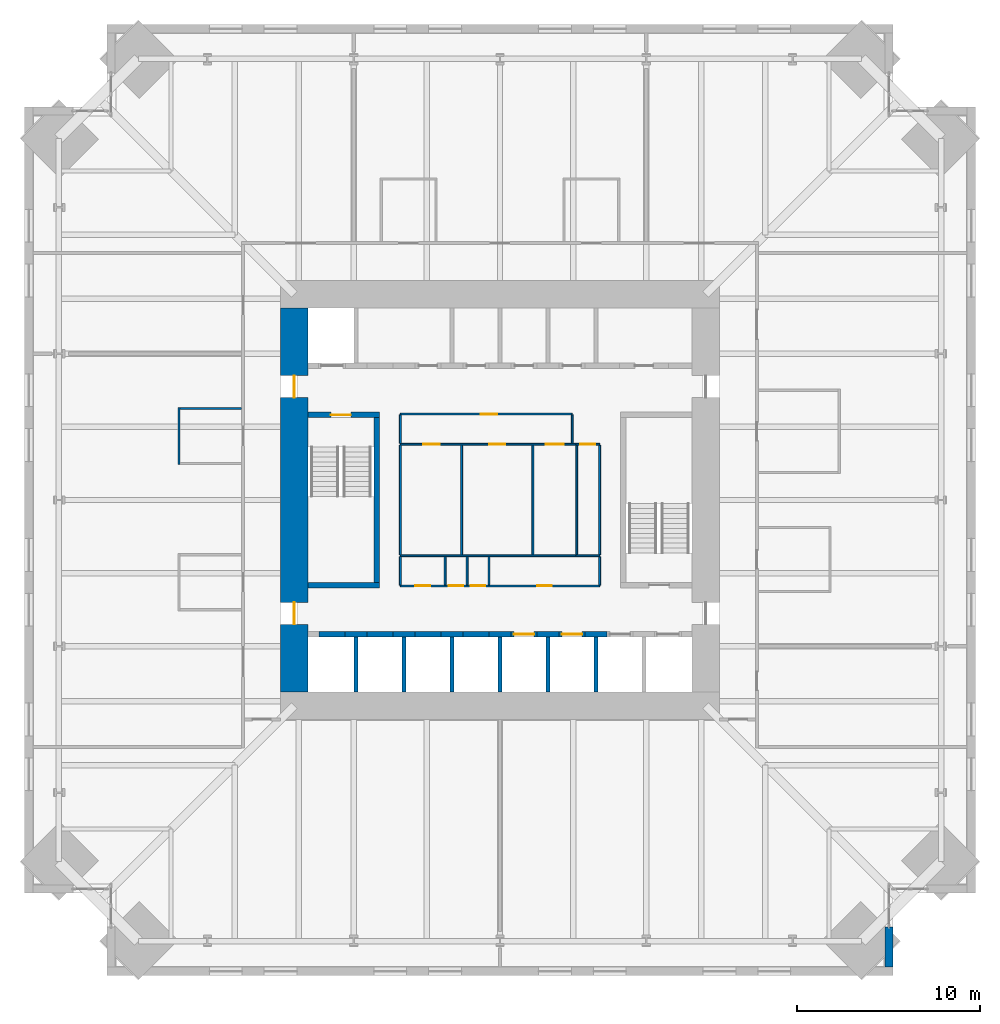
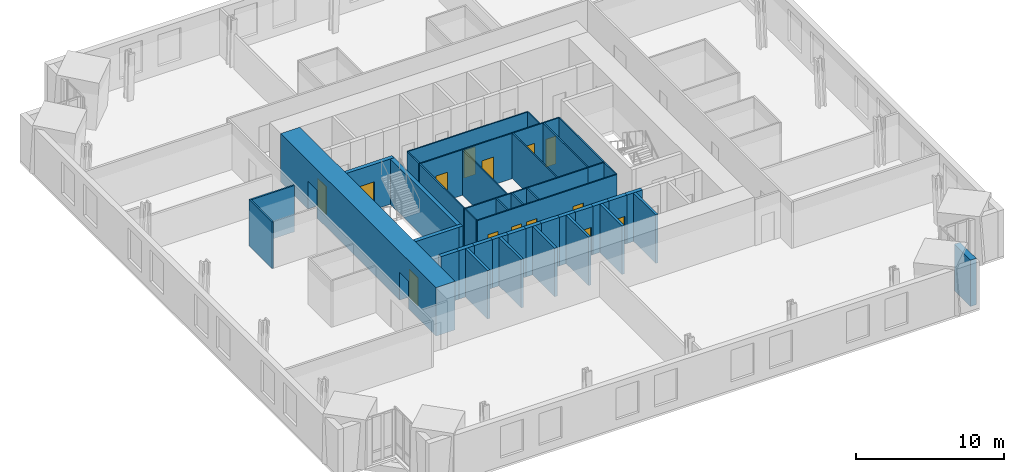
# One storey, part 14 of 18: 43 walls, 14 doors, 14 openings.
"""IFC4 building model written with IfcOpenShell, lengths in metres."""

from ifc_helpers import new_model, si_unit, direction, frame, frame_2d, origin, place, context, subcontext, project, spatial, rectangle, extrude, material, layer, layer_set, type_object, element, fill, save


model = new_model("IFC4")

# Units and contexts
model_context = context("Model", 3, precision=1e-05, world=origin(), true_north=direction((0.0, 1.0)))
body_context = subcontext(model_context, "Body", "Model", "MODEL_VIEW")
ifc_project = project(units=[si_unit("LENGTHUNIT", "METRE"), si_unit("AREAUNIT", "SQUARE_METRE"), si_unit("VOLUMEUNIT", "CUBIC_METRE"), si_unit("PLANEANGLEUNIT", "RADIAN"), si_unit("MASSUNIT", "GRAM", prefix="KILO")], contexts=[model_context])

# Site, building, storey
site_placement = place(None, origin())
site = spatial("IfcSite", under=ifc_project, at=site_placement, CompositionType="ELEMENT")
building_placement = place(site_placement, origin())
building = spatial("IfcBuilding", under=site, at=building_placement, Name="Peilmerk Tower", CompositionType="ELEMENT")
storey_placement = place(building_placement, frame((0.0, 0.0, 167.800048828125)))
storey = spatial("IfcBuildingStorey", under=building, at=storey_placement, Name="L35", CompositionType="ELEMENT", Elevation=167.800048828125)

# Walls
ifc_material_1 = material(Name="Precast concrete C45/55, board-marked finish", Category="concrete")
ifc_layer_1 = layer(ifc_material_1, 0.449951171875)
ifc_layer_set_1 = layer_set([ifc_layer_1], Name="Precast concrete C45/55, board-marked finish")
wall_type_1 = type_object("IfcWallType", Name="EW1 450 precast concrete facade wall, board-marked", PredefinedType="SOLIDWALL", material=ifc_layer_set_1)
wall_1_placement = place(storey_placement, frame((21.27490234375, -23.353759765625, 0.0), z_axis=(0.0, 0.0, 1.0), x_axis=(0.0, -1.0, 0.0)))
element("IfcWall", 1, at=wall_1_placement, inside=storey, type_object=wall_type_1, Name="Facade wall SEA L35", PredefinedType="SOLIDWALL", context=body_context, shape_type="SweptSolid", body=[
    extrude(rectangle(XDim=2.1962890625, YDim=0.449951171875, at=frame_2d((1.09814453125, 0.0))), origin(), (0.0, 0.0, 1.0), 3.829833984375),
])
ifc_material_2 = material(Name="Concrete C35/45", Category="concrete")
ifc_layer_2 = layer(ifc_material_2, 0.300048828125)
ifc_layer_set_2 = layer_set([ifc_layer_2], Name="Concrete C35/45")
wall_type_2 = type_object("IfcWallType", Name="IW3 300 concrete stair enclosure wall, EI 120", PredefinedType="SOLIDWALL", material=ifc_layer_set_2)
wall_2_placement = place(storey_placement, frame((-6.75, -4.800048828125, 0.0), z_axis=(0.0, 0.0, 1.0), x_axis=(0.0, 1.0, 0.0)))
element("IfcWall", 2, at=wall_2_placement, inside=storey, type_object=wall_type_2, Name="Stair 1 enclosure L35", PredefinedType="SOLIDWALL", context=body_context, shape_type="SweptSolid", body=[
    extrude(rectangle(XDim=9.60009765625, YDim=0.300048828125, at=frame_2d((4.800048828125, 0.0))), origin(), (0.0, 0.0, 1.0), 3.75),
])

# Wall, opening, door
wall_3_placement = place(storey_placement, frame((-10.5, 4.64990234375, 0.0), z_axis=(0.0, 0.0, 1.0), x_axis=(1.0, 0.0, 0.0)))
wall_3 = element("IfcWall", 3, at=wall_3_placement, inside=storey, type_object=wall_type_2, Name="Stair 1 enclosure L35", PredefinedType="SOLIDWALL", context=body_context, shape_type="SweptSolid", body=[
    extrude(rectangle(XDim=3.89990234375, YDim=0.300048828125, at=frame_2d((1.949951171875, 0.0))), origin(), (0.0, 0.0, 1.0), 3.75),
])
opening_1_placement = place(wall_3_placement, frame((1.25, 0.0, 0.0)))
opening_1 = element("IfcOpeningElement", 4, at=opening_1_placement, cuts=wall_3, Name="Opening D4", PredefinedType="OPENING", context=body_context, shape_type="SweptSolid", body=[
    extrude(rectangle(XDim=1.10009765625, YDim=2.300048828125, at=frame_2d((0.550048828125, 1.14990234375))), frame((0.0, 0.159912109375, 0.0), z_axis=(0.0, -1.0, 0.0), x_axis=(1.0, 0.0, 0.0)), (0.0, 0.0, 1.0), 0.320068359375),
])
ifc_material_3 = material(Name="Steel door in steel frame", Category="steel")
door_type_1 = type_object("IfcDoorType", Name="D4 1100x2300 stair door, EI2 60", OperationType="SINGLE_SWING_RIGHT", PredefinedType="DOOR", material=ifc_material_3)
door_1_placement = place(opening_1_placement, frame((1.10009765625, 0.0, 0.0), z_axis=(0.0, 0.0, 1.0), x_axis=(-1.0, 0.0, 0.0)))
door_1 = element("IfcDoor", 5, at=door_1_placement, inside=storey, type_object=door_type_1, Name="Stair 1 door L35", OperationType="SINGLE_SWING_RIGHT", OverallHeight=2.300048828125, OverallWidth=1.10009765625, PredefinedType="DOOR", context=body_context, shape_type="SweptSolid", body=[
    extrude(rectangle(XDim=1.10009765625, YDim=2.300048828125, at=frame_2d((0.550048828125, 1.14990234375))), frame((0.0, 0.02490234375, 0.0), z_axis=(0.0, -1.0, 0.0), x_axis=(1.0, 0.0, 0.0)), (0.0, 0.0, 1.0), 0.050048828125),
])
fill(opening_1, door_1)

# Wall
wall_4_placement = place(storey_placement, frame((-6.60009765625, -4.64990234375, 0.0), z_axis=(0.0, 0.0, 1.0), x_axis=(-1.0, 0.0, 0.0)))
element("IfcWall", 6, at=wall_4_placement, inside=storey, type_object=wall_type_2, Name="Stair 1 enclosure L35", PredefinedType="SOLIDWALL", context=body_context, shape_type="SweptSolid", body=[
    extrude(rectangle(XDim=3.89990234375, YDim=0.300048828125, at=frame_2d((1.949951171875, 0.0))), origin(), (0.0, 0.0, 1.0), 3.75),
])

# Wall, openings, doors
ifc_material_4 = material(Name="Plasterboard on steel studs", Category="steel")
ifc_layer_3 = layer(ifc_material_4, 0.10009765625)
ifc_layer_set_3 = layer_set([ifc_layer_3], Name="Plasterboard on steel studs")
wall_type_3 = type_object("IfcWallType", Name="IW4 100 WC partition", PredefinedType="PARTITIONING", material=ifc_layer_set_3)
wall_5_placement = place(storey_placement, frame((-5.449951171875, 3.050048828125, 0.0), z_axis=(0.0, 0.0, 1.0), x_axis=(1.0, 0.0, 0.0)))
wall_5 = element("IfcWall", 7, at=wall_5_placement, inside=storey, type_object=wall_type_3, Name="WC wall L35", PredefinedType="PARTITIONING", context=body_context, shape_type="SweptSolid", body=[
    extrude(rectangle(XDim=9.599853515625, YDim=0.10009765625, at=frame_2d((4.7998046875, 0.0))), origin(), (0.0, 0.0, 1.0), 3.75),
])
opening_2_placement = place(wall_5_placement, frame((1.25, 0.0, 0.0)))
opening_2 = element("IfcOpeningElement", 8, at=opening_2_placement, cuts=wall_5, Name="Opening D5", PredefinedType="OPENING", context=body_context, shape_type="SweptSolid", body=[
    extrude(rectangle(XDim=0.89990234375, YDim=2.300048828125, at=frame_2d((0.449951171875, 1.14990234375))), frame((0.0, 0.06005859375, 0.0), z_axis=(0.0, -1.0, 0.0), x_axis=(1.0, 0.0, 0.0)), (0.0, 0.0, 1.0), 0.1201171875),
])
opening_3_placement = place(wall_5_placement, frame((4.85009765625, 0.0, 0.0)))
opening_3 = element("IfcOpeningElement", 9, at=opening_3_placement, cuts=wall_5, Name="Opening D5", PredefinedType="OPENING", context=body_context, shape_type="SweptSolid", body=[
    extrude(rectangle(XDim=0.89990234375, YDim=2.300048828125, at=frame_2d((0.449951171875, 1.14990234375))), frame((0.0, 0.06005859375, 0.0), z_axis=(0.0, -1.0, 0.0), x_axis=(1.0, 0.0, 0.0)), (0.0, 0.0, 1.0), 0.1201171875),
])
opening_4_placement = place(wall_5_placement, frame((7.949951171875, 0.0, 0.0)))
opening_4 = element("IfcOpeningElement", 10, at=opening_4_placement, cuts=wall_5, Name="Opening D6", PredefinedType="OPENING", context=body_context, shape_type="SweptSolid", body=[
    extrude(rectangle(XDim=1.0, YDim=2.300048828125, at=frame_2d((0.5, 1.14990234375))), frame((0.0, 0.06005859375, 0.0), z_axis=(0.0, -1.0, 0.0), x_axis=(1.0, 0.0, 0.0)), (0.0, 0.0, 1.0), 0.1201171875),
])
ifc_material_5 = material(Name="Timber door in steel frame", Category="steel")
door_type_2 = type_object("IfcDoorType", Name="D5 900x2300 WC door", OperationType="SINGLE_SWING_LEFT", PredefinedType="DOOR", material=ifc_material_5)
door_2_placement = place(opening_2_placement, frame((0.89990234375, 0.0, 0.0), z_axis=(0.0, 0.0, 1.0), x_axis=(-1.0, 0.0, 0.0)))
door_2 = element("IfcDoor", 11, at=door_2_placement, inside=storey, type_object=door_type_2, Name="Female toilets door L35", OperationType="SINGLE_SWING_LEFT", OverallHeight=2.300048828125, OverallWidth=0.89990234375, PredefinedType="DOOR", context=body_context, shape_type="SweptSolid", body=[
    extrude(rectangle(XDim=0.89990234375, YDim=2.300048828125, at=frame_2d((0.449951171875, 1.14990234375))), frame((0.0, 0.02490234375, 0.0), z_axis=(0.0, -1.0, 0.0), x_axis=(1.0, 0.0, 0.0)), (0.0, 0.0, 1.0), 0.050048828125),
])
fill(opening_2, door_2)
door_3_placement = place(opening_3_placement, frame((0.89990234375, 0.0, 0.0), z_axis=(0.0, 0.0, 1.0), x_axis=(-1.0, 0.0, 0.0)))
door_3 = element("IfcDoor", 12, at=door_3_placement, inside=storey, type_object=door_type_2, Name="Male toilets door L35", OperationType="SINGLE_SWING_LEFT", OverallHeight=2.300048828125, OverallWidth=0.89990234375, PredefinedType="DOOR", context=body_context, shape_type="SweptSolid", body=[
    extrude(rectangle(XDim=0.89990234375, YDim=2.300048828125, at=frame_2d((0.449951171875, 1.14990234375))), frame((0.0, 0.02490234375, 0.0), z_axis=(0.0, -1.0, 0.0), x_axis=(1.0, 0.0, 0.0)), (0.0, 0.0, 1.0), 0.050048828125),
])
fill(opening_3, door_3)
door_type_3 = type_object("IfcDoorType", Name="D6 1000x2300 accessible WC door", OperationType="SLIDING_TO_LEFT", PredefinedType="DOOR", material=ifc_material_5)
door_4_placement = place(opening_4_placement, frame((1.0, 0.0, 0.0), z_axis=(0.0, 0.0, 1.0), x_axis=(-1.0, 0.0, 0.0)))
door_4 = element("IfcDoor", 13, at=door_4_placement, inside=storey, type_object=door_type_3, Name="Accessible WC door L35", OperationType="SLIDING_TO_LEFT", OverallHeight=2.300048828125, OverallWidth=1.0, PredefinedType="DOOR", context=body_context, shape_type="SweptSolid", body=[
    extrude(rectangle(XDim=1.0, YDim=2.300048828125, at=frame_2d((0.5, 1.14990234375))), frame((0.0, 0.02490234375, 0.0), z_axis=(0.0, -1.0, 0.0), x_axis=(1.0, 0.0, 0.0)), (0.0, 0.0, 1.0), 0.050048828125),
])
fill(opening_4, door_4)

# Walls
wall_6_placement = place(storey_placement, frame((4.14990234375, -3.050048828125, 0.0), z_axis=(0.0, 0.0, 1.0), x_axis=(-1.0, 0.0, 0.0)))
element("IfcWall", 14, at=wall_6_placement, inside=storey, type_object=wall_type_3, Name="WC wall L35", PredefinedType="PARTITIONING", context=body_context, shape_type="SweptSolid", body=[
    extrude(rectangle(XDim=9.599853515625, YDim=0.10009765625, at=frame_2d((4.7998046875, 0.0))), origin(), (0.0, 0.0, 1.0), 3.75),
])
for number, where, z_axis, x_axis, name in (
    (15, (-5.449951171875, -3.0, 0.0), (0.0, 0.0, 1.0), (0.0, 1.0, 0.0), "WC wall L35"),
    (16, (-2.10009765625, -3.0, 0.0), (0.0, 0.0, 1.0), (0.0, 1.0, 0.0), "WC wall L35"),
    (17, (1.800048828125, -3.0, 0.0), (0.0, 0.0, 1.0), (0.0, 1.0, 0.0), "WC wall L35"),
):
    element("IfcWall", number, at=place(storey_placement, frame(where, z_axis=z_axis, x_axis=x_axis)), inside=storey, type_object=wall_type_3, Name=name, PredefinedType="PARTITIONING", context=body_context, shape_type="SweptSolid", body=[
        extrude(rectangle(XDim=6.0, YDim=0.10009765625, at=frame_2d((3.0, 0.0))), origin(), (0.0, 0.0, 1.0), 3.75),
    ])

# Wall, opening, door
ifc_material_6 = material(Name="Calcium silicate board on steel studs", Category="steel")
ifc_layer_4 = layer(ifc_material_6, 0.10009765625)
ifc_layer_set_4 = layer_set([ifc_layer_4], Name="Calcium silicate board on steel studs")
wall_type_4 = type_object("IfcWallType", Name="IW5 100 riser enclosure wall, EI 60", PredefinedType="PARTITIONING", material=ifc_layer_set_4)
wall_7_placement = place(storey_placement, frame((4.14990234375, 3.050048828125, 0.0), z_axis=(0.0, 0.0, 1.0), x_axis=(1.0, 0.0, 0.0)))
wall_7 = element("IfcWall", 18, at=wall_7_placement, inside=storey, type_object=wall_type_4, Name="Riser wall L35", PredefinedType="PARTITIONING", context=body_context, shape_type="SweptSolid", body=[
    extrude(rectangle(XDim=1.300048828125, YDim=0.10009765625, at=frame_2d((0.64990234375, 0.0))), origin(), (0.0, 0.0, 1.0), 3.75),
])
opening_5_placement = place(wall_7_placement, frame((0.25, 0.0, 0.0)))
opening_5 = element("IfcOpeningElement", 19, at=opening_5_placement, cuts=wall_7, Name="Opening D7", PredefinedType="OPENING", context=body_context, shape_type="SweptSolid", body=[
    extrude(rectangle(XDim=0.800048828125, YDim=2.300048828125, at=frame_2d((0.39990234375, 1.14990234375))), frame((0.0, 0.06005859375, 0.0), z_axis=(0.0, -1.0, 0.0), x_axis=(1.0, 0.0, 0.0)), (0.0, 0.0, 1.0), 0.1201171875),
])
door_type_4 = type_object("IfcDoorType", Name="D7 800x2300 riser access door, EI2 60", OperationType="SINGLE_SWING_RIGHT", PredefinedType="DOOR", material=ifc_material_3)
door_5_placement = place(opening_5_placement, frame((0.800048828125, 0.0, 0.0), z_axis=(0.0, 0.0, 1.0), x_axis=(-1.0, 0.0, 0.0)))
door_5 = element("IfcDoor", 20, at=door_5_placement, inside=storey, type_object=door_type_4, Name="Plumbing riser door L35", OperationType="SINGLE_SWING_RIGHT", OverallHeight=2.300048828125, OverallWidth=0.800048828125, PredefinedType="DOOR", context=body_context, shape_type="SweptSolid", body=[
    extrude(rectangle(XDim=0.800048828125, YDim=2.300048828125, at=frame_2d((0.39990234375, 1.14990234375))), frame((0.0, 0.02490234375, 0.0), z_axis=(0.0, -1.0, 0.0), x_axis=(1.0, 0.0, 0.0)), (0.0, 0.0, 1.0), 0.050048828125),
])
fill(opening_5, door_5)

# Walls
wall_8_placement = place(storey_placement, frame((5.449951171875, -3.050048828125, 0.0), z_axis=(0.0, 0.0, 1.0), x_axis=(-1.0, 0.0, 0.0)))
element("IfcWall", 21, at=wall_8_placement, inside=storey, type_object=wall_type_4, Name="Riser wall L35", PredefinedType="PARTITIONING", context=body_context, shape_type="SweptSolid", body=[
    extrude(rectangle(XDim=1.300048828125, YDim=0.10009765625, at=frame_2d((0.64990234375, 0.0))), origin(), (0.0, 0.0, 1.0), 3.75),
])
for number, where, z_axis, x_axis, name in (
    (22, (5.449951171875, 3.0, 0.0), (0.0, 0.0, 1.0), (0.0, -1.0, 0.0), "Riser wall L35"),
    (23, (4.199951171875, -3.0, 0.0), (0.0, 0.0, 1.0), (0.0, 1.0, 0.0), "Riser wall L35"),
):
    element("IfcWall", number, at=place(storey_placement, frame(where, z_axis=z_axis, x_axis=x_axis)), inside=storey, type_object=wall_type_4, Name=name, PredefinedType="PARTITIONING", context=body_context, shape_type="SweptSolid", body=[
        extrude(rectangle(XDim=6.0, YDim=0.10009765625, at=frame_2d((3.0, 0.0))), origin(), (0.0, 0.0, 1.0), 3.75),
    ])

# Wall, openings, doors
wall_9_placement = place(storey_placement, frame((5.449951171875, -4.699951171875, 0.0), z_axis=(0.0, 0.0, 1.0), x_axis=(-1.0, 0.0, 0.0)))
wall_9 = element("IfcWall", 24, at=wall_9_placement, inside=storey, type_object=wall_type_4, Name="Riser wall L35", PredefinedType="PARTITIONING", context=body_context, shape_type="SweptSolid", body=[
    extrude(rectangle(XDim=10.89990234375, YDim=0.10009765625, at=frame_2d((5.449951171875, 0.0))), origin(), (0.0, 0.0, 1.0), 3.75),
])
opening_6_placement = place(wall_9_placement, frame((9.27490234375, 0.0, 0.0)))
opening_6 = element("IfcOpeningElement", 25, at=opening_6_placement, cuts=wall_9, Name="Opening D7", PredefinedType="OPENING", context=body_context, shape_type="SweptSolid", body=[
    extrude(rectangle(XDim=0.800048828125, YDim=2.300048828125, at=frame_2d((0.39990234375, 1.14990234375))), frame((0.0, 0.06005859375, 0.0), z_axis=(0.0, -1.0, 0.0), x_axis=(1.0, 0.0, 0.0)), (0.0, 0.0, 1.0), 0.1201171875),
])
opening_7_placement = place(wall_9_placement, frame((7.449951171875, 0.0, 0.0)))
opening_7 = element("IfcOpeningElement", 26, at=opening_7_placement, cuts=wall_9, Name="Opening D7", PredefinedType="OPENING", context=body_context, shape_type="SweptSolid", body=[
    extrude(rectangle(XDim=0.800048828125, YDim=2.300048828125, at=frame_2d((0.39990234375, 1.14990234375))), frame((0.0, 0.06005859375, 0.0), z_axis=(0.0, -1.0, 0.0), x_axis=(1.0, 0.0, 0.0)), (0.0, 0.0, 1.0), 0.1201171875),
])
opening_8_placement = place(wall_9_placement, frame((6.25, 0.0, 0.0)))
opening_8 = element("IfcOpeningElement", 27, at=opening_8_placement, cuts=wall_9, Name="Opening D7", PredefinedType="OPENING", context=body_context, shape_type="SweptSolid", body=[
    extrude(rectangle(XDim=0.800048828125, YDim=2.300048828125, at=frame_2d((0.39990234375, 1.14990234375))), frame((0.0, 0.06005859375, 0.0), z_axis=(0.0, -1.0, 0.0), x_axis=(1.0, 0.0, 0.0)), (0.0, 0.0, 1.0), 0.1201171875),
])
opening_9_placement = place(wall_9_placement, frame((2.625, 0.0, 0.0)))
opening_9 = element("IfcOpeningElement", 28, at=opening_9_placement, cuts=wall_9, Name="Opening D7", PredefinedType="OPENING", context=body_context, shape_type="SweptSolid", body=[
    extrude(rectangle(XDim=0.800048828125, YDim=2.300048828125, at=frame_2d((0.39990234375, 1.14990234375))), frame((0.0, 0.06005859375, 0.0), z_axis=(0.0, -1.0, 0.0), x_axis=(1.0, 0.0, 0.0)), (0.0, 0.0, 1.0), 0.1201171875),
])
door_6_placement = place(opening_6_placement, frame((0.800048828125, 0.0, 0.0), z_axis=(0.0, 0.0, 1.0), x_axis=(-1.0, 0.0, 0.0)))
door_6 = element("IfcDoor", 29, at=door_6_placement, inside=storey, type_object=door_type_4, Name="Cleaner's cupboard door L35", OperationType="SINGLE_SWING_RIGHT", OverallHeight=2.300048828125, OverallWidth=0.800048828125, PredefinedType="DOOR", context=body_context, shape_type="SweptSolid", body=[
    extrude(rectangle(XDim=0.800048828125, YDim=2.300048828125, at=frame_2d((0.39990234375, 1.14990234375))), frame((0.0, 0.02490234375, 0.0), z_axis=(0.0, -1.0, 0.0), x_axis=(1.0, 0.0, 0.0)), (0.0, 0.0, 1.0), 0.050048828125),
])
fill(opening_6, door_6)
door_7_placement = place(opening_7_placement, frame((0.800048828125, 0.0, 0.0), z_axis=(0.0, 0.0, 1.0), x_axis=(-1.0, 0.0, 0.0)))
door_7 = element("IfcDoor", 30, at=door_7_placement, inside=storey, type_object=door_type_4, Name="Electrical riser door L35", OperationType="SINGLE_SWING_RIGHT", OverallHeight=2.300048828125, OverallWidth=0.800048828125, PredefinedType="DOOR", context=body_context, shape_type="SweptSolid", body=[
    extrude(rectangle(XDim=0.800048828125, YDim=2.300048828125, at=frame_2d((0.39990234375, 1.14990234375))), frame((0.0, 0.02490234375, 0.0), z_axis=(0.0, -1.0, 0.0), x_axis=(1.0, 0.0, 0.0)), (0.0, 0.0, 1.0), 0.050048828125),
])
fill(opening_7, door_7)
door_8_placement = place(opening_8_placement, frame((0.800048828125, 0.0, 0.0), z_axis=(0.0, 0.0, 1.0), x_axis=(-1.0, 0.0, 0.0)))
door_8 = element("IfcDoor", 31, at=door_8_placement, inside=storey, type_object=door_type_4, Name="Data riser door L35", OperationType="SINGLE_SWING_RIGHT", OverallHeight=2.300048828125, OverallWidth=0.800048828125, PredefinedType="DOOR", context=body_context, shape_type="SweptSolid", body=[
    extrude(rectangle(XDim=0.800048828125, YDim=2.300048828125, at=frame_2d((0.39990234375, 1.14990234375))), frame((0.0, 0.02490234375, 0.0), z_axis=(0.0, -1.0, 0.0), x_axis=(1.0, 0.0, 0.0)), (0.0, 0.0, 1.0), 0.050048828125),
])
fill(opening_8, door_8)
door_9_placement = place(opening_9_placement, frame((0.800048828125, 0.0, 0.0), z_axis=(0.0, 0.0, 1.0), x_axis=(-1.0, 0.0, 0.0)))
door_9 = element("IfcDoor", 32, at=door_9_placement, inside=storey, type_object=door_type_4, Name="Comms room door L35", OperationType="SINGLE_SWING_RIGHT", OverallHeight=2.300048828125, OverallWidth=0.800048828125, PredefinedType="DOOR", context=body_context, shape_type="SweptSolid", body=[
    extrude(rectangle(XDim=0.800048828125, YDim=2.300048828125, at=frame_2d((0.39990234375, 1.14990234375))), frame((0.0, 0.02490234375, 0.0), z_axis=(0.0, -1.0, 0.0), x_axis=(1.0, 0.0, 0.0)), (0.0, 0.0, 1.0), 0.050048828125),
])
fill(opening_9, door_9)

# Walls
for number, where, z_axis, x_axis, name in (
    (33, (-5.449951171875, -3.10009765625, 0.0), (0.0, 0.0, 1.0), (0.0, -1.0, 0.0), "Riser wall L35"),
    (34, (5.449951171875, -3.10009765625, 0.0), (0.0, 0.0, 1.0), (0.0, -1.0, 0.0), "Riser wall L35"),
    (35, (-3.0, -3.10009765625, 0.0), (0.0, 0.0, 1.0), (0.0, -1.0, 0.0), "Riser wall L35"),
    (36, (-1.800048828125, -3.10009765625, 0.0), (0.0, 0.0, 1.0), (0.0, -1.0, 0.0), "Riser wall L35"),
    (37, (-0.60009765625, -3.10009765625, 0.0), (0.0, 0.0, 1.0), (0.0, -1.0, 0.0), "Riser wall L35"),
):
    element("IfcWall", number, at=place(storey_placement, frame(where, z_axis=z_axis, x_axis=x_axis)), inside=storey, type_object=wall_type_4, Name=name, PredefinedType="PARTITIONING", context=body_context, shape_type="SweptSolid", body=[
        extrude(rectangle(XDim=1.5498046875, YDim=0.10009765625, at=frame_2d((0.77490234375, 0.0))), origin(), (0.0, 0.0, 1.0), 3.75),
    ])
ifc_material_7 = material(Name="Plasterboard on steel studs, double boarded with mineral wool", Category="steel")
ifc_layer_5 = layer(ifc_material_7, 0.125)
ifc_layer_set_5 = layer_set([ifc_layer_5], Name="Plasterboard on steel studs, double boarded with mineral wool")
wall_type_5 = type_object("IfcWallType", Name="IW7 125 acoustic partition, EI 30", PredefinedType="PARTITIONING", material=ifc_layer_set_5)
wall_10_placement = place(storey_placement, frame((-17.550048828125, 1.9375, 0.0), z_axis=(0.0, 0.0, 1.0), x_axis=(0.0, 1.0, 0.0)))
element("IfcWall", 38, at=wall_10_placement, inside=storey, type_object=wall_type_5, Name="Acoustic partition Focus room L35", PredefinedType="PARTITIONING", context=body_context, shape_type="SweptSolid", body=[
    extrude(rectangle(XDim=3.125, YDim=0.125, at=frame_2d((1.5625, 0.0))), origin(), (0.0, 0.0, 1.0), 3.829833984375),
])
wall_11_placement = place(storey_placement, frame((-14.125, 5.0, 0.0), z_axis=(0.0, 0.0, 1.0), x_axis=(-1.0, 0.0, 0.0)))
element("IfcWall", 39, at=wall_11_placement, inside=storey, type_object=wall_type_5, Name="Acoustic partition Focus room L35", PredefinedType="PARTITIONING", context=body_context, shape_type="SweptSolid", body=[
    extrude(rectangle(XDim=3.362548828125, YDim=0.125, at=frame_2d((1.68115234375, 0.0))), origin(), (0.0, 0.0, 1.0), 3.829833984375),
])

# Wall, opening, door
ifc_material_8 = material(Name="Fire-resisting plasterboard on steel studs", Category="steel")
ifc_layer_6 = layer(ifc_material_8, 0.10009765625)
ifc_layer_set_6 = layer_set([ifc_layer_6], Name="Fire-resisting plasterboard on steel studs")
wall_type_6 = type_object("IfcWallType", Name="IW9 100 WC lobby wall, EI 30", PredefinedType="PARTITIONING", material=ifc_layer_set_6)
wall_12_placement = place(storey_placement, frame((-5.449951171875, 4.699951171875, 0.0), z_axis=(0.0, 0.0, 1.0), x_axis=(1.0, 0.0, 0.0)))
wall_12 = element("IfcWall", 40, at=wall_12_placement, inside=storey, type_object=wall_type_6, Name="WC lobby wall L35", PredefinedType="PARTITIONING", context=body_context, shape_type="SweptSolid", body=[
    extrude(rectangle(XDim=9.39990234375, YDim=0.10009765625, at=frame_2d((4.699951171875, 0.0))), origin(), (0.0, 0.0, 1.0), 3.75),
])
opening_10_placement = place(wall_12_placement, frame((4.39990234375, 0.0, 0.0)))
opening_10 = element("IfcOpeningElement", 41, at=opening_10_placement, cuts=wall_12, Name="Opening D11", PredefinedType="OPENING", context=body_context, shape_type="SweptSolid", body=[
    extrude(rectangle(XDim=0.89990234375, YDim=2.300048828125, at=frame_2d((0.449951171875, 1.14990234375))), frame((0.0, 0.06005859375, 0.0), z_axis=(0.0, -1.0, 0.0), x_axis=(1.0, 0.0, 0.0)), (0.0, 0.0, 1.0), 0.1201171875),
])
door_type_5 = type_object("IfcDoorType", Name="D11 900x2300 WC lobby door, EI2 30", OperationType="SINGLE_SWING_LEFT", PredefinedType="DOOR", material=ifc_material_5)
door_10_placement = place(opening_10_placement, frame((0.89990234375, 0.0, 0.0), z_axis=(0.0, 0.0, 1.0), x_axis=(-1.0, 0.0, 0.0)))
door_10 = element("IfcDoor", 42, at=door_10_placement, inside=storey, type_object=door_type_5, Name="WC lobby door L35", OperationType="SINGLE_SWING_LEFT", OverallHeight=2.300048828125, OverallWidth=0.89990234375, PredefinedType="DOOR", context=body_context, shape_type="SweptSolid", body=[
    extrude(rectangle(XDim=0.89990234375, YDim=2.300048828125, at=frame_2d((0.449951171875, 1.14990234375))), frame((0.0, 0.02490234375, 0.0), z_axis=(0.0, -1.0, 0.0), x_axis=(1.0, 0.0, 0.0)), (0.0, 0.0, 1.0), 0.050048828125),
])
fill(opening_10, door_10)

# Walls
for number, where, z_axis, x_axis, name in (
    (43, (-5.449951171875, 3.10009765625, 0.0), (0.0, 0.0, 1.0), (0.0, 1.0, 0.0), "WC lobby wall L35"),
    (44, (3.949951171875, 3.10009765625, 0.0), (0.0, 0.0, 1.0), (0.0, 1.0, 0.0), "WC lobby wall L35"),
):
    element("IfcWall", number, at=place(storey_placement, frame(where, z_axis=z_axis, x_axis=x_axis)), inside=storey, type_object=wall_type_6, Name=name, PredefinedType="PARTITIONING", context=body_context, shape_type="SweptSolid", body=[
        extrude(rectangle(XDim=1.5498046875, YDim=0.10009765625, at=frame_2d((0.77490234375, 0.0))), origin(), (0.0, 0.0, 1.0), 3.75),
    ])
ifc_material_9 = material(Name="Calcium silicate block", Category="masonry")
ifc_layer_7 = layer(ifc_material_9, 0.199951171875)
ifc_layer_set_7 = layer_set([ifc_layer_7], Name="Calcium silicate block")
wall_type_7 = type_object("IfcWallType", Name="SH1 200 shaft dividing wall, EI 120", PredefinedType="PARTITIONING", material=ifc_layer_set_7)
for number, where, z_axis, x_axis, name in (
    (45, (-7.875, -10.5, 0.0), (0.0, 0.0, 1.0), (0.0, 1.0, 0.0), "Shaft wall S C4 L35"),
    (46, (-5.25, -10.5, 0.0), (0.0, 0.0, 1.0), (0.0, 1.0, 0.0), "Shaft wall S C3 L35"),
    (47, (-2.625, -10.5, 0.0), (0.0, 0.0, 1.0), (0.0, 1.0, 0.0), "Shaft wall S C2 L35"),
    (48, (0.0, -10.5, 0.0), (0.0, 0.0, 1.0), (0.0, 1.0, 0.0), "Shaft wall S C1 L35"),
    (49, (2.625, -10.5, 0.0), (0.0, 0.0, 1.0), (0.0, 1.0, 0.0), "Shaft wall S B3 L35"),
    (50, (5.25, -10.5, 0.0), (0.0, 0.0, 1.0), (0.0, 1.0, 0.0), "Shaft wall S B2 L35"),
):
    element("IfcWall", number, at=place(storey_placement, frame(where, z_axis=z_axis, x_axis=x_axis)), inside=storey, type_object=wall_type_7, Name=name, PredefinedType="PARTITIONING", context=body_context, shape_type="SweptSolid", body=[
        extrude(rectangle(XDim=3.0, YDim=0.199951171875, at=frame_2d((1.5, 0.0))), origin(), (0.0, 0.0, 1.0), 4.0),
    ])
ifc_layer_8 = layer(ifc_material_9, 0.300048828125)
ifc_layer_set_8 = layer_set([ifc_layer_8], Name="Calcium silicate block")
wall_type_8 = type_object("IfcWallType", Name="SH2 300 lift landing door panel, EI 120", PredefinedType="PARTITIONING", material=ifc_layer_set_8)
for number, where, z_axis, x_axis, name in (
    (51, (-9.887451171875, -7.35009765625, 0.0), (0.0, 0.0, 1.0), (1.0, 0.0, 0.0), "Lift door panel S C4 L35"),
    (52, (-7.262451171875, -7.35009765625, 0.0), (0.0, 0.0, 1.0), (1.0, 0.0, 0.0), "Lift door panel S C3 L35"),
    (53, (-4.637451171875, -7.35009765625, 0.0), (0.0, 0.0, 1.0), (1.0, 0.0, 0.0), "Lift door panel S C2 L35"),
    (54, (-2.012451171875, -7.35009765625, 0.0), (0.0, 0.0, 1.0), (1.0, 0.0, 0.0), "Lift door panel S C1 L35"),
):
    element("IfcWall", number, at=place(storey_placement, frame(where, z_axis=z_axis, x_axis=x_axis)), inside=storey, type_object=wall_type_8, Name=name, PredefinedType="PARTITIONING", context=body_context, shape_type="SweptSolid", body=[
        extrude(rectangle(XDim=1.39990234375, YDim=0.300048828125, at=frame_2d((0.699951171875, 0.0))), origin(), (0.0, 0.0, 1.0), 4.0),
    ])

# Wall, opening, door
wall_13_placement = place(storey_placement, frame((0.612548828125, -7.35009765625, 0.0), z_axis=(0.0, 0.0, 1.0), x_axis=(1.0, 0.0, 0.0)))
wall_13 = element("IfcWall", 55, at=wall_13_placement, inside=storey, type_object=wall_type_8, Name="Lift door panel S B3 L35", PredefinedType="PARTITIONING", context=body_context, shape_type="SweptSolid", body=[
    extrude(rectangle(XDim=1.39990234375, YDim=0.300048828125, at=frame_2d((0.699951171875, 0.0))), origin(), (0.0, 0.0, 1.0), 4.0),
])
opening_11_placement = place(wall_13_placement, frame((0.14990234375, 0.0, 0.0)))
opening_11 = element("IfcOpeningElement", 56, at=opening_11_placement, cuts=wall_13, Name="Opening LD1", PredefinedType="OPENING", context=body_context, shape_type="SweptSolid", body=[
    extrude(rectangle(XDim=1.10009765625, YDim=2.300048828125, at=frame_2d((0.550048828125, 1.14990234375))), frame((0.0, 0.159912109375, 0.0), z_axis=(0.0, -1.0, 0.0), x_axis=(1.0, 0.0, 0.0)), (0.0, 0.0, 1.0), 0.320068359375),
])
ifc_material_10 = material(Name="Stainless steel landing door", Category="steel")
door_type_6 = type_object("IfcDoorType", Name="LD1 1100x2300 lift landing door, sliding, EI2 60", OperationType="SLIDING_TO_LEFT", PredefinedType="DOOR", material=ifc_material_10)
door_11_placement = place(opening_11_placement, origin())
door_11 = element("IfcDoor", 57, at=door_11_placement, inside=storey, type_object=door_type_6, Name="Lift landing door B3 L35", OperationType="SLIDING_TO_LEFT", OverallHeight=2.300048828125, OverallWidth=1.10009765625, PredefinedType="DOOR", context=body_context, shape_type="SweptSolid", body=[
    extrude(rectangle(XDim=1.10009765625, YDim=2.300048828125, at=frame_2d((0.550048828125, 1.14990234375))), frame((0.0, 0.02490234375, 0.0), z_axis=(0.0, -1.0, 0.0), x_axis=(1.0, 0.0, 0.0)), (0.0, 0.0, 1.0), 0.050048828125),
])
fill(opening_11, door_11)

wall_14_placement = place(storey_placement, frame((3.237548828125, -7.35009765625, 0.0), z_axis=(0.0, 0.0, 1.0), x_axis=(1.0, 0.0, 0.0)))
wall_14 = element("IfcWall", 58, at=wall_14_placement, inside=storey, type_object=wall_type_8, Name="Lift door panel S B2 L35", PredefinedType="PARTITIONING", context=body_context, shape_type="SweptSolid", body=[
    extrude(rectangle(XDim=1.39990234375, YDim=0.300048828125, at=frame_2d((0.699951171875, 0.0))), origin(), (0.0, 0.0, 1.0), 4.0),
])
opening_12_placement = place(wall_14_placement, frame((0.14990234375, 0.0, 0.0)))
opening_12 = element("IfcOpeningElement", 59, at=opening_12_placement, cuts=wall_14, Name="Opening LD1", PredefinedType="OPENING", context=body_context, shape_type="SweptSolid", body=[
    extrude(rectangle(XDim=1.10009765625, YDim=2.300048828125, at=frame_2d((0.550048828125, 1.14990234375))), frame((0.0, 0.159912109375, 0.0), z_axis=(0.0, -1.0, 0.0), x_axis=(1.0, 0.0, 0.0)), (0.0, 0.0, 1.0), 0.320068359375),
])
door_12_placement = place(opening_12_placement, origin())
door_12 = element("IfcDoor", 60, at=door_12_placement, inside=storey, type_object=door_type_6, Name="Lift landing door B2 L35", OperationType="SLIDING_TO_LEFT", OverallHeight=2.300048828125, OverallWidth=1.10009765625, PredefinedType="DOOR", context=body_context, shape_type="SweptSolid", body=[
    extrude(rectangle(XDim=1.10009765625, YDim=2.300048828125, at=frame_2d((0.550048828125, 1.14990234375))), frame((0.0, 0.02490234375, 0.0), z_axis=(0.0, -1.0, 0.0), x_axis=(1.0, 0.0, 0.0)), (0.0, 0.0, 1.0), 0.050048828125),
])
fill(opening_12, door_12)

# Wall, openings, doors
ifc_material_11 = material(Name="Concrete C55/67", Category="concrete")
ifc_layer_9 = layer(ifc_material_11, 1.5)
ifc_layer_set_9 = layer_set([ifc_layer_9], Name="Concrete C55/67")
wall_type_9 = type_object("IfcWallType", Name="SW1 1500 core wall", PredefinedType="SHEAR", material=ifc_layer_set_9)
wall_15_placement = place(storey_placement, frame((-11.25, -10.5, 0.0), z_axis=(0.0, 0.0, 1.0), x_axis=(0.0, 1.0, 0.0)))
wall_15 = element("IfcWall", 61, at=wall_15_placement, inside=storey, type_object=wall_type_9, Name="Core wall W L35", PredefinedType="SHEAR", context=body_context, shape_type="SweptSolid", body=[
    extrude(rectangle(XDim=21.0, YDim=1.5, at=frame_2d((10.5, 0.0))), origin(), (0.0, 0.0, 1.0), 4.0),
])
opening_13_placement = place(wall_15_placement, frame((16.10009765625, 0.0, 0.0)))
opening_13 = element("IfcOpeningElement", 62, at=opening_13_placement, cuts=wall_15, Name="Opening D3", PredefinedType="OPENING", context=body_context, shape_type="SweptSolid", body=[
    extrude(rectangle(XDim=1.199951171875, YDim=2.300048828125, at=frame_2d((0.60009765625, 1.14990234375))), frame((0.0, 0.760009765625, 0.0), z_axis=(0.0, -1.0, 0.0), x_axis=(1.0, 0.0, 0.0)), (0.0, 0.0, 1.0), 1.52001953125),
])
opening_14_placement = place(wall_15_placement, frame((3.699951171875, 0.0, 0.0)))
opening_14 = element("IfcOpeningElement", 63, at=opening_14_placement, cuts=wall_15, Name="Opening D3", PredefinedType="OPENING", context=body_context, shape_type="SweptSolid", body=[
    extrude(rectangle(XDim=1.199951171875, YDim=2.300048828125, at=frame_2d((0.60009765625, 1.14990234375))), frame((0.0, 0.760009765625, 0.0), z_axis=(0.0, -1.0, 0.0), x_axis=(1.0, 0.0, 0.0)), (0.0, 0.0, 1.0), 1.52001953125),
])
door_type_7 = type_object("IfcDoorType", Name="D3 1200x2300 core door, EI2 60", OperationType="SINGLE_SWING_LEFT", PredefinedType="DOOR", material=ifc_material_3)
door_13_placement = place(opening_13_placement, frame((1.199951171875, 0.0, 0.0), z_axis=(0.0, 0.0, 1.0), x_axis=(-1.0, 0.0, 0.0)))
door_13 = element("IfcDoor", 64, at=door_13_placement, inside=storey, type_object=door_type_7, Name="Core door L35", OperationType="SINGLE_SWING_LEFT", OverallHeight=2.300048828125, OverallWidth=1.199951171875, PredefinedType="DOOR", context=body_context, shape_type="SweptSolid", body=[
    extrude(rectangle(XDim=1.199951171875, YDim=2.300048828125, at=frame_2d((0.60009765625, 1.14990234375))), frame((0.0, 0.02490234375, 0.0), z_axis=(0.0, -1.0, 0.0), x_axis=(1.0, 0.0, 0.0)), (0.0, 0.0, 1.0), 0.050048828125),
])
fill(opening_13, door_13)
door_14_placement = place(opening_14_placement, frame((1.199951171875, 0.0, 0.0), z_axis=(0.0, 0.0, 1.0), x_axis=(-1.0, 0.0, 0.0)))
door_14 = element("IfcDoor", 65, at=door_14_placement, inside=storey, type_object=door_type_7, Name="Core door L35", OperationType="SINGLE_SWING_LEFT", OverallHeight=2.300048828125, OverallWidth=1.199951171875, PredefinedType="DOOR", context=body_context, shape_type="SweptSolid", body=[
    extrude(rectangle(XDim=1.199951171875, YDim=2.300048828125, at=frame_2d((0.60009765625, 1.14990234375))), frame((0.0, 0.02490234375, 0.0), z_axis=(0.0, -1.0, 0.0), x_axis=(1.0, 0.0, 0.0)), (0.0, 0.0, 1.0), 0.050048828125),
])
fill(opening_14, door_14)

# Walls
ifc_layer_10 = layer(ifc_material_11, 0.300048828125)
ifc_layer_set_10 = layer_set([ifc_layer_10], Name="Concrete C55/67")
wall_type_10 = type_object("IfcWallType", Name="SW2 300 lift bank pier", PredefinedType="SHEAR", material=ifc_layer_set_10)
for number, where, z_axis, x_axis, name in (
    (66, (-8.487548828125, -7.35009765625, 0.0), (0.0, 0.0, 1.0), (1.0, 0.0, 0.0), "Lift bank pier S L35"),
    (67, (-5.862548828125, -7.35009765625, 0.0), (0.0, 0.0, 1.0), (1.0, 0.0, 0.0), "Lift bank pier S L35"),
    (68, (-3.237548828125, -7.35009765625, 0.0), (0.0, 0.0, 1.0), (1.0, 0.0, 0.0), "Lift bank pier S L35"),
    (69, (-0.612548828125, -7.35009765625, 0.0), (0.0, 0.0, 1.0), (1.0, 0.0, 0.0), "Lift bank pier S L35"),
    (70, (2.012451171875, -7.35009765625, 0.0), (0.0, 0.0, 1.0), (1.0, 0.0, 0.0), "Lift bank pier S L35"),
    (71, (4.637451171875, -7.35009765625, 0.0), (0.0, 0.0, 1.0), (1.0, 0.0, 0.0), "Lift bank pier S L35"),
):
    element("IfcWall", number, at=place(storey_placement, frame(where, z_axis=z_axis, x_axis=x_axis)), inside=storey, type_object=wall_type_10, Name=name, PredefinedType="SHEAR", context=body_context, shape_type="SweptSolid", body=[
        extrude(rectangle(XDim=1.22509765625, YDim=0.300048828125, at=frame_2d((0.612548828125, 0.0))), origin(), (0.0, 0.0, 1.0), 4.0),
    ])

save(model, "model.ifc")
